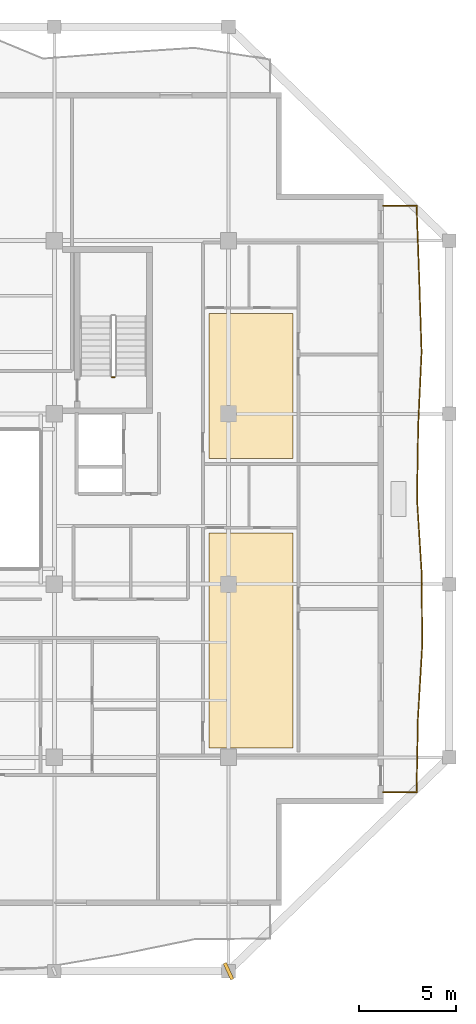
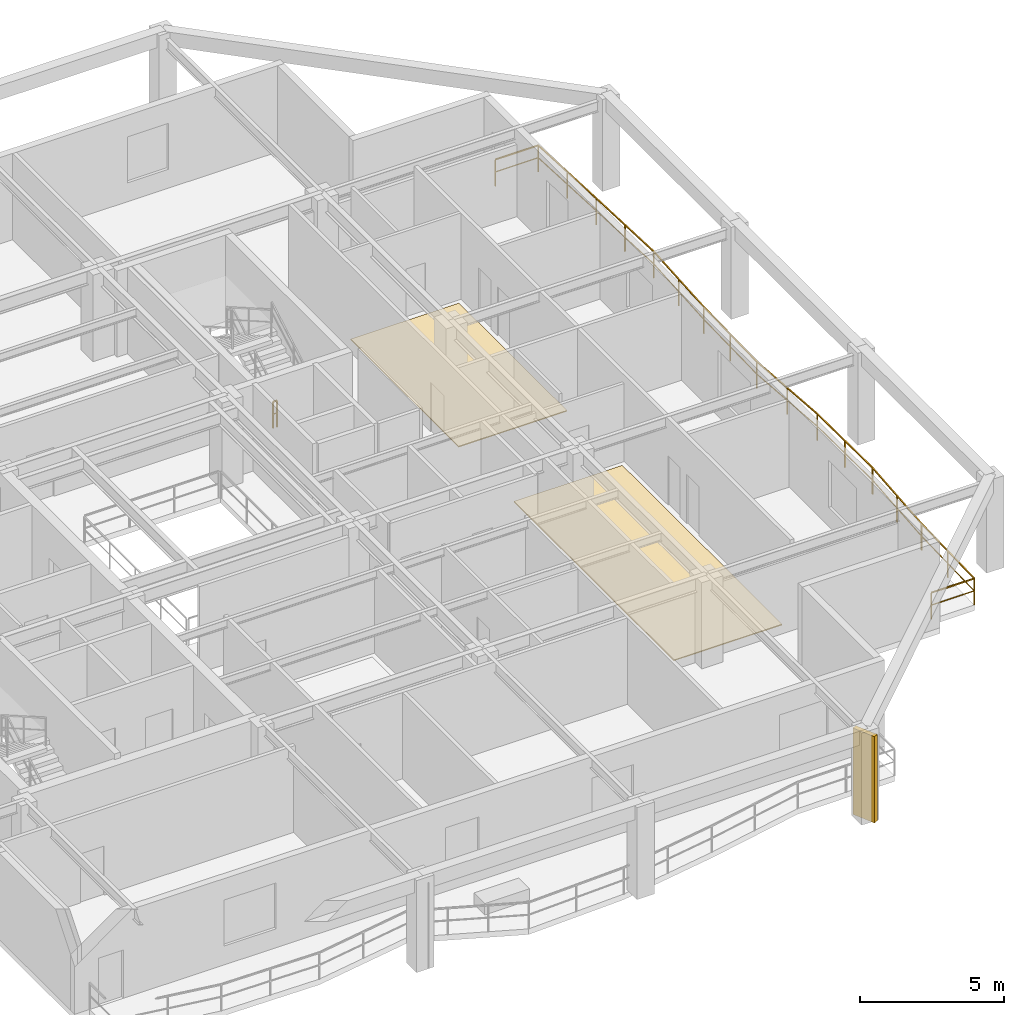
# One storey, part 10 of 12: 2 coverings, 2 railings, 1 shading device.
"""IFC4 building model written with IfcOpenShell, lengths in metres."""

from ifc_helpers import new_model, si_unit, direction, frame, origin, origin_2d, place, context, subcontext, project, spatial, polyline, rectangle, outline, extrude, material, layer, layer_set, type_object, element, save


model = new_model("IFC4")

# Units and contexts
model_context = context("Model", 3, precision=1e-05, world=origin(), true_north=direction((0.0, 1.0)))
body_context = subcontext(model_context, "Body", "Model", "MODEL_VIEW")
ifc_project = project(units=[si_unit("LENGTHUNIT", "METRE"), si_unit("AREAUNIT", "SQUARE_METRE"), si_unit("VOLUMEUNIT", "CUBIC_METRE"), si_unit("PLANEANGLEUNIT", "RADIAN"), si_unit("MASSUNIT", "GRAM", prefix="KILO")], contexts=[model_context])

# Site, building, storey
site_placement = place(None, origin())
site = spatial("IfcSite", under=ifc_project, at=site_placement, CompositionType="ELEMENT")
building_placement = place(site_placement, origin())
building = spatial("IfcBuilding", under=site, at=building_placement, Name="Kundavana Baori Tower", CompositionType="ELEMENT")
storey_placement = place(building_placement, frame((0.0, 0.0, 237.5)))
storey = spatial("IfcBuildingStorey", under=building, at=storey_placement, Name="L58", CompositionType="ELEMENT", Elevation=237.5)

# Coverings
ifc_material_1 = material(Name="Honed Kota Stone and Terrazzo Flooring", Category="masonry")
ifc_layer = layer(ifc_material_1, 0.0400390625, Name="COV-FLR-TERR-40")
ifc_layer_set = layer_set([ifc_layer], Name="Honed Kota Stone and Terrazzo Flooring")
covering_type = type_object("IfcCoveringType", Name="COV-FLR-TERR-40", PredefinedType="FLOORING", material=ifc_layer_set)
covering_1_placement = place(storey_placement, origin())
element("IfcCovering", 1, at=covering_1_placement, inside=storey, type_object=covering_type, Name="L58 Room Finished Stone Flooring 4", PredefinedType="FLOORING", context=body_context, shape_type="SweptSolid", body=[
    extrude(outline(polyline([(41.780029296875, 15.72998046875), (46.1298828125, 15.72998046875), (46.1298828125, 26.840087890625), (41.780029296875, 26.840087890625), (41.780029296875, 15.72998046875)])), origin(), (0.0, 0.0, 1.0), 0.0400390625),
])
covering_2_placement = place(storey_placement, origin())
element("IfcCovering", 2, at=covering_2_placement, inside=storey, type_object=covering_type, Name="L58 Room Finished Stone Flooring 5", PredefinedType="FLOORING", context=body_context, shape_type="SweptSolid", body=[
    extrude(outline(polyline([(41.780029296875, 30.679931640625), (46.1298828125, 30.679931640625), (46.1298828125, 38.18994140625), (41.780029296875, 38.18994140625), (41.780029296875, 30.679931640625)])), origin(), (0.0, 0.0, 1.0), 0.0400390625),
])

# Railings
ifc_material_2 = material(Name="Architectural Patinated Bronze Metalwork")
railing_type_1 = type_object("IfcRailingType", Name="RL-BAL-1150", PredefinedType="BALUSTRADE", material=ifc_material_2)
railing_1_placement = place(storey_placement, frame((50.800048828125, 43.75, 0.0)))
element("IfcRailing", 3, at=railing_1_placement, inside=storey, type_object=railing_type_1, Name="L58 Loggia Balcony Balustrade E", PredefinedType="BALUSTRADE", context=body_context, shape_type="SweptSolid", body=[
    extrude(rectangle(XDim=0.048095703125, YDim=0.048095703125, at=origin_2d()), frame((0.0, 0.0, 1.1259765625), z_axis=(1.0, 0.0, 0.0), x_axis=(0.0, 1.0, 0.0)), (0.0, 0.0, 1.0), 1.719970703125),
    extrude(rectangle(XDim=0.03125, YDim=0.03125, at=origin_2d()), frame((0.0, 0.0, 0.597900390625), z_axis=(1.0, 0.0, 0.0), x_axis=(0.0, 1.0, 0.0)), (0.0, 0.0, 1.0), 1.719970703125),
    extrude(rectangle(XDim=0.048095703125, YDim=0.048095703125, at=origin_2d()), frame((1.719970703125, 0.0, 1.1259765625), z_axis=(0.036904464513, -0.999318798232, 0.0), x_axis=(0.999318798232, 0.036904464513, 0.0)), (0.0, 0.0, 1.0), 3.790771484375),
    extrude(rectangle(XDim=0.03125, YDim=0.03125, at=origin_2d()), frame((1.719970703125, 0.0, 0.597900390625), z_axis=(0.036904464513, -0.999318798232, 0.0), x_axis=(0.999318798232, 0.036904464513, 0.0)), (0.0, 0.0, 1.0), 3.790771484375),
    extrude(rectangle(XDim=0.048095703125, YDim=0.048095703125, at=origin_2d()), frame((1.85986328125, -3.7880859375, 1.1259765625), z_axis=(0.031703480151, -0.999497318329, 0.0), x_axis=(0.999497318329, 0.031703480151, 0.0)), (0.0, 0.0, 1.0), 3.788818359375),
    extrude(rectangle(XDim=0.03125, YDim=0.03125, at=origin_2d()), frame((1.85986328125, -3.7880859375, 0.597900390625), z_axis=(0.031703480151, -0.999497318329, 0.0), x_axis=(0.999497318329, 0.031703480151, 0.0)), (0.0, 0.0, 1.0), 3.788818359375),
    extrude(rectangle(XDim=0.048095703125, YDim=0.048095703125, at=origin_2d()), frame((1.97998046875, -7.574951171875, 1.1259765625), z_axis=(-0.046172981575, -0.998933459132, 0.0), x_axis=(0.998933459132, -0.046172981575, 0.0)), (0.0, 0.0, 1.0), 3.791259765625),
    extrude(rectangle(XDim=0.03125, YDim=0.03125, at=origin_2d()), frame((1.97998046875, -7.574951171875, 0.597900390625), z_axis=(-0.046172981575, -0.998933459132, 0.0), x_axis=(0.998933459132, -0.046172981575, 0.0)), (0.0, 0.0, 1.0), 3.791259765625),
    extrude(rectangle(XDim=0.048095703125, YDim=0.048095703125, at=origin_2d()), frame((1.804931640625, -11.362060546875, 1.1259765625), z_axis=(-0.016111347145, -0.999870203823, 0.0), x_axis=(0.999870203823, -0.016111347145, 0.0)), (0.0, 0.0, 1.0), 3.788330078125),
    extrude(rectangle(XDim=0.03125, YDim=0.03125, at=origin_2d()), frame((1.804931640625, -11.362060546875, 0.597900390625), z_axis=(-0.016111347145, -0.999870203823, 0.0), x_axis=(0.999870203823, -0.016111347145, 0.0)), (0.0, 0.0, 1.0), 3.788330078125),
    extrude(rectangle(XDim=0.048095703125, YDim=0.048095703125, at=origin_2d()), frame((1.743896484375, -15.14990234375, 1.1259765625), z_axis=(0.062714662966, -0.998031498025, 0.0), x_axis=(0.998031498025, 0.062714662966, 0.0)), (0.0, 0.0, 1.0), 3.795654296875),
    extrude(rectangle(XDim=0.03125, YDim=0.03125, at=origin_2d()), frame((1.743896484375, -15.14990234375, 0.597900390625), z_axis=(0.062714662966, -0.998031498025, 0.0), x_axis=(0.998031498025, 0.062714662966, 0.0)), (0.0, 0.0, 1.0), 3.795654296875),
    extrude(rectangle(XDim=0.048095703125, YDim=0.048095703125, at=origin_2d()), frame((1.98193359375, -18.93798828125, 1.1259765625), z_axis=(0.00818693552, -0.999966486482, 0.0), x_axis=(0.999966486482, 0.00818693552, 0.0)), (0.0, 0.0, 1.0), 3.787353515625),
    extrude(rectangle(XDim=0.03125, YDim=0.03125, at=origin_2d()), frame((1.98193359375, -18.93798828125, 0.597900390625), z_axis=(0.00818693552, -0.999966486482, 0.0), x_axis=(0.999966486482, 0.00818693552, 0.0)), (0.0, 0.0, 1.0), 3.787353515625),
    extrude(rectangle(XDim=0.048095703125, YDim=0.048095703125, at=origin_2d()), frame((2.012939453125, -22.72509765625, 1.1259765625), z_axis=(-0.058503196703, -0.998287221182, 0.0), x_axis=(0.998287221182, -0.058503196703, 0.0)), (0.0, 0.0, 1.0), 3.79345703125),
    extrude(rectangle(XDim=0.03125, YDim=0.03125, at=origin_2d()), frame((2.012939453125, -22.72509765625, 0.597900390625), z_axis=(-0.058503196703, -0.998287221182, 0.0), x_axis=(0.998287221182, -0.058503196703, 0.0)), (0.0, 0.0, 1.0), 3.79345703125),
    extrude(rectangle(XDim=0.048095703125, YDim=0.048095703125, at=origin_2d()), frame((1.791015625, -26.511962890625, 1.1259765625), z_axis=(-0.018751536142, -0.999824174489, 0.0), x_axis=(0.999824174489, -0.018751536142, 0.0)), (0.0, 0.0, 1.0), 3.788818359375),
    extrude(rectangle(XDim=0.03125, YDim=0.03125, at=origin_2d()), frame((1.791015625, -26.511962890625, 0.597900390625), z_axis=(-0.018751536142, -0.999824174489, 0.0), x_axis=(0.999824174489, -0.018751536142, 0.0)), (0.0, 0.0, 1.0), 3.788818359375),
    extrude(rectangle(XDim=0.048095703125, YDim=0.048095703125, at=origin_2d()), frame((1.719970703125, -30.300048828125, 1.1259765625), z_axis=(-1.0, 0.0, 0.0), x_axis=(0.0, -1.0, 0.0)), (0.0, 0.0, 1.0), 1.719970703125),
    extrude(rectangle(XDim=0.03125, YDim=0.03125, at=origin_2d()), frame((1.719970703125, -30.300048828125, 0.597900390625), z_axis=(-1.0, 0.0, 0.0), x_axis=(0.0, -1.0, 0.0)), (0.0, 0.0, 1.0), 1.719970703125),
    extrude(rectangle(XDim=0.0419921875, YDim=0.0419921875, at=origin_2d()), origin(), (0.0, 0.0, 1.0), 1.101806640625),
    extrude(rectangle(XDim=0.0419921875, YDim=0.0419921875, at=origin_2d()), frame((1.719970703125, 0.0, 0.0)), (0.0, 0.0, 1.0), 1.101806640625),
    extrude(rectangle(XDim=0.0419921875, YDim=0.0419921875, at=origin_2d()), frame((1.7900390625, -1.89404296875, 0.0)), (0.0, 0.0, 1.0), 1.101806640625),
    extrude(rectangle(XDim=0.0419921875, YDim=0.0419921875, at=origin_2d()), frame((1.85986328125, -3.7880859375, 0.0)), (0.0, 0.0, 1.0), 1.101806640625),
    extrude(rectangle(XDim=0.0419921875, YDim=0.0419921875, at=origin_2d()), frame((1.919921875, -5.681640625, 0.0)), (0.0, 0.0, 1.0), 1.101806640625),
    extrude(rectangle(XDim=0.0419921875, YDim=0.0419921875, at=origin_2d()), frame((1.97998046875, -7.574951171875, 0.0)), (0.0, 0.0, 1.0), 1.101806640625),
    extrude(rectangle(XDim=0.0419921875, YDim=0.0419921875, at=origin_2d()), frame((1.892578125, -9.468505859375, 0.0)), (0.0, 0.0, 1.0), 1.101806640625),
    extrude(rectangle(XDim=0.0419921875, YDim=0.0419921875, at=origin_2d()), frame((1.804931640625, -11.362060546875, 0.0)), (0.0, 0.0, 1.0), 1.101806640625),
    extrude(rectangle(XDim=0.0419921875, YDim=0.0419921875, at=origin_2d()), frame((1.7744140625, -13.255859375, 0.0)), (0.0, 0.0, 1.0), 1.101806640625),
    extrude(rectangle(XDim=0.0419921875, YDim=0.0419921875, at=origin_2d()), frame((1.743896484375, -15.14990234375, 0.0)), (0.0, 0.0, 1.0), 1.101806640625),
    extrude(rectangle(XDim=0.0419921875, YDim=0.0419921875, at=origin_2d()), frame((1.86279296875, -17.0439453125, 0.0)), (0.0, 0.0, 1.0), 1.101806640625),
    extrude(rectangle(XDim=0.0419921875, YDim=0.0419921875, at=origin_2d()), frame((1.98193359375, -18.93798828125, 0.0)), (0.0, 0.0, 1.0), 1.101806640625),
    extrude(rectangle(XDim=0.0419921875, YDim=0.0419921875, at=origin_2d()), frame((1.99755859375, -20.83154296875, 0.0)), (0.0, 0.0, 1.0), 1.101806640625),
    extrude(rectangle(XDim=0.0419921875, YDim=0.0419921875, at=origin_2d()), frame((2.012939453125, -22.72509765625, 0.0)), (0.0, 0.0, 1.0), 1.101806640625),
    extrude(rectangle(XDim=0.0419921875, YDim=0.0419921875, at=origin_2d()), frame((1.90185546875, -24.61865234375, 0.0)), (0.0, 0.0, 1.0), 1.101806640625),
    extrude(rectangle(XDim=0.0419921875, YDim=0.0419921875, at=origin_2d()), frame((1.791015625, -26.511962890625, 0.0)), (0.0, 0.0, 1.0), 1.101806640625),
    extrude(rectangle(XDim=0.0419921875, YDim=0.0419921875, at=origin_2d()), frame((1.75537109375, -28.406005859375, 0.0)), (0.0, 0.0, 1.0), 1.101806640625),
    extrude(rectangle(XDim=0.0419921875, YDim=0.0419921875, at=origin_2d()), frame((1.719970703125, -30.300048828125, 0.0)), (0.0, 0.0, 1.0), 1.101806640625),
    extrude(rectangle(XDim=0.0419921875, YDim=0.0419921875, at=origin_2d()), frame((0.0, -30.300048828125, 0.0)), (0.0, 0.0, 1.0), 1.101806640625),
])
ifc_material_3 = material(Name="Architectural Patinated Bronze Metalwork")
railing_type_2 = type_object("IfcRailingType", Name="RL-GRD-1150", PredefinedType="GUARDRAIL", material=ifc_material_3)
railing_2_placement = place(storey_placement, frame((36.929931640625, 34.89990234375, 0.0)))
element("IfcRailing", 4, at=railing_2_placement, inside=storey, type_object=railing_type_2, Name="L58 ST3 stair guard 4", PredefinedType="GUARDRAIL", context=body_context, shape_type="SweptSolid", body=[
    extrude(rectangle(XDim=0.048095703125, YDim=0.048095703125, at=origin_2d()), frame((0.0, 0.0, 1.1259765625), z_axis=(-1.0, 0.0, 0.0), x_axis=(0.0, -1.0, 0.0)), (0.0, 0.0, 1.0), 0.159912109375),
    extrude(rectangle(XDim=0.03125, YDim=0.03125, at=origin_2d()), frame((0.0, 0.0, 0.597900390625), z_axis=(-1.0, 0.0, 0.0), x_axis=(0.0, -1.0, 0.0)), (0.0, 0.0, 1.0), 0.159912109375),
    extrude(rectangle(XDim=0.0419921875, YDim=0.0419921875, at=origin_2d()), origin(), (0.0, 0.0, 1.0), 1.101806640625),
    extrude(rectangle(XDim=0.0419921875, YDim=0.0419921875, at=origin_2d()), frame((-0.159912109375, 0.0, 0.0)), (0.0, 0.0, 1.0), 1.101806640625),
])

# Shading device
ifc_material_4 = material(Name="Red-Buff Dholpur Sandstone Cladding on Concrete C40/50", Category="masonry")
shading_device_type = type_object("IfcShadingDeviceType", Name="SHD-FIN-920", PredefinedType="JALOUSIE", material=ifc_material_4)
shading_device_placement = place(storey_placement, frame((42.800048828125, 4.199951171875, 0.0), z_axis=(0.0, 0.0, 1.0), x_axis=(0.909236109047, 0.41628079226, 0.0)))
element("IfcShadingDevice", 5, at=shading_device_placement, inside=storey, type_object=shading_device_type, Name="L58 Sweeping Dholpur Sandstone Facade Fin 4", PredefinedType="JALOUSIE", context=body_context, shape_type="SweptSolid", body=[
    extrude(rectangle(XDim=0.179931640625, YDim=0.919921875, at=origin_2d()), origin(), (0.0, 0.0, 1.0), 3.659912109375),
])

save(model, "model.ifc")
